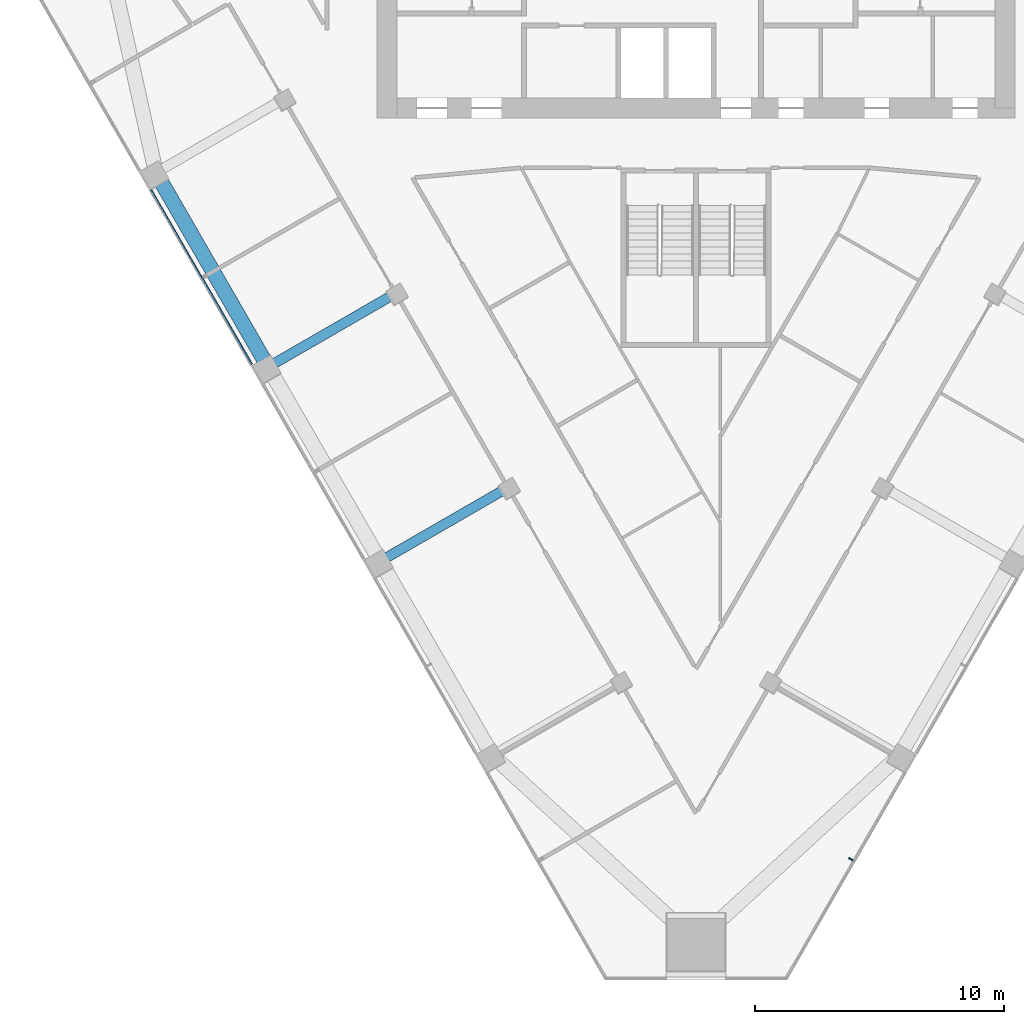
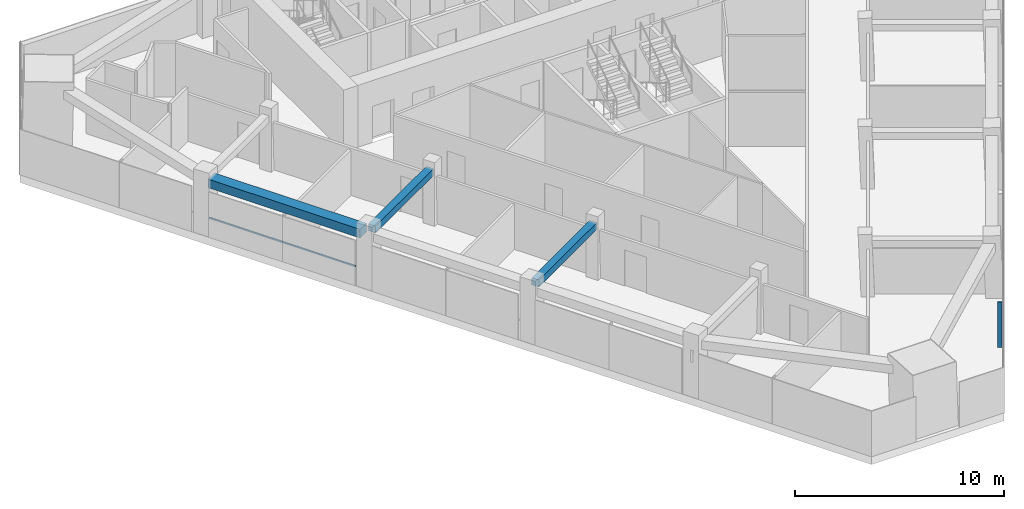
# One storey, part 3 of 13: 3 beams, 2 members, 2 elements without a shape of their own.
"""IFC4 building model written with IfcOpenShell, lengths in metres."""

from ifc_helpers import new_model, si_unit, direction, frame, origin, origin_2d, place, context, subcontext, project, spatial, rectangle, extrude, material, layer, layer_set, material_profile, profile_set, type_object, element, aggregate, save


model = new_model("IFC4")

# Units and contexts
model_context = context("Model", 3, precision=1e-05, world=origin(), true_north=direction((0.0, 1.0)))
body_context = subcontext(model_context, "Body", "Model", "MODEL_VIEW")
ifc_project = project(units=[si_unit("LENGTHUNIT", "METRE"), si_unit("AREAUNIT", "SQUARE_METRE"), si_unit("VOLUMEUNIT", "CUBIC_METRE"), si_unit("PLANEANGLEUNIT", "RADIAN"), si_unit("MASSUNIT", "GRAM", prefix="KILO")], contexts=[model_context])

# Site, building, storey
site_placement = place(None, origin())
site = spatial("IfcSite", under=ifc_project, at=site_placement, CompositionType="ELEMENT")
building_placement = place(site_placement, origin())
building = spatial("IfcBuilding", under=site, at=building_placement, Name="Altiplano Prism Tower", CompositionType="ELEMENT")
storey_placement = place(building_placement, frame((0.0, 0.0, 153.0)))
storey = spatial("IfcBuildingStorey", under=building, at=storey_placement, Name="L39", CompositionType="ELEMENT", Elevation=153.0)

# Curtain wall, member
ifc_material_1 = material(Name="Aluminium and glass", Category="aluminium")
ifc_layer = layer(ifc_material_1, 0.303955078125)
ifc_layer_set = layer_set([ifc_layer], Name="Aluminium and glass")
curtain_wall_type = type_object("IfcCurtainWallType", Name="CW2 lounge-band unitised glazing", PredefinedType="NOTDEFINED", material=ifc_layer_set)
curtain_wall_1_placement = place(storey_placement, origin())
curtain_wall_1 = element("IfcCurtainWall", 1, at=curtain_wall_1_placement, inside=storey, type_object=curtain_wall_type, Name="CW2 curtain wall south-east face L39", PredefinedType="NOTDEFINED")
ifc_material_2 = material(Name="Aluminium", Category="aluminium")
ifc_material_profile_1 = material_profile(ifc_material_2, rectangle(XDim=0.199951171875, YDim=0.06005859375, at=origin_2d()), Name="CW2 mullion 60 x 200")
ifc_profile_set_1 = profile_set([ifc_material_profile_1], Name="Aluminium")
member_type_1 = type_object("IfcMemberType", Name="CW2 mullion 60 x 200", PredefinedType="MULLION", material=ifc_profile_set_1)
member_1_placement = place(storey_placement, frame((91.210205078125, 62.862548828125, 0.0), z_axis=(0.0, 0.0, 1.0), x_axis=(-0.866025404064, 0.499999999516, 0.0)))
member_1 = element("IfcMember", 2, at=member_1_placement, type_object=member_type_1, Name="CW2 mullion", PredefinedType="MULLION", context=body_context, shape_type="SweptSolid", body=[
    extrude(rectangle(XDim=0.199951171875, YDim=0.06005859375, at=origin_2d()), origin(), (0.0, 0.0, 1.0), 2.64990234375),
])
aggregate(curtain_wall_1, [member_1])

curtain_wall_2_placement = place(storey_placement, origin())
curtain_wall_2 = element("IfcCurtainWall", 3, at=curtain_wall_2_placement, inside=storey, type_object=curtain_wall_type, Name="CW2 curtain wall south-west face L39", PredefinedType="NOTDEFINED")
ifc_material_profile_2 = material_profile(ifc_material_2, rectangle(XDim=0.06005859375, YDim=0.080078125, at=origin_2d()), Name="CW2 transom 80 x 60")
ifc_profile_set_2 = profile_set([ifc_material_profile_2], Name="Aluminium")
member_type_2 = type_object("IfcMemberType", Name="CW2 transom 80 x 60", PredefinedType="USERDEFINED", material=ifc_profile_set_2)
member_2_placement = place(storey_placement, frame((63.139892578125, 89.708740234375, 1.10009765625), z_axis=(0.500030598376, -0.866007737083, 0.0), x_axis=(0.866007737083, 0.500030598376, 0.0)))
member_2 = element("IfcMember", 4, at=member_2_placement, type_object=member_type_2, Name="CW2 transom", ObjectType="TRANSOM", PredefinedType="USERDEFINED", context=body_context, shape_type="SweptSolid", body=[
    extrude(rectangle(XDim=0.06005859375, YDim=0.080078125, at=origin_2d()), origin(), (0.0, 0.0, 1.0), 8.06982421875),
])
aggregate(curtain_wall_2, [member_2])

# Beams
ifc_material_3 = material(Name="Concrete C60/75", Category="concrete")
ifc_material_profile_3 = material_profile(ifc_material_3, rectangle(XDim=0.60009765625, YDim=0.5, at=origin_2d()), Name="Edge beam 600x500")
ifc_profile_set_3 = profile_set([ifc_material_profile_3], Name="Concrete C60/75")
beam_type_1 = type_object("IfcBeamType", Name="Edge beam 600x500", PredefinedType="SPANDREL", material=ifc_profile_set_3)
beam_placement = place(storey_placement, frame((63.4853515625, 90.139892578125, 2.89990234375), z_axis=(0.500010445942, -0.866019372733, 0.0), x_axis=(0.866019372733, 0.500010445942, 0.0)))
element("IfcBeam", 5, at=beam_placement, inside=storey, type_object=beam_type_1, Name="Edge beam P11-P12 L40", PredefinedType="SPANDREL", context=body_context, shape_type="SweptSolid", body=[
    extrude(rectangle(XDim=0.60009765625, YDim=0.5, at=origin_2d()), origin(), (0.0, 0.0, 1.0), 8.389892578125),
])
ifc_material_profile_4 = material_profile(ifc_material_3, rectangle(XDim=0.39990234375, YDim=0.39990234375, at=origin_2d()), Name="Tie beam 400x400")
ifc_profile_set_4 = profile_set([ifc_material_profile_4], Name="Concrete C60/75")
beam_type_2 = type_object("IfcBeamType", Name="Tie beam 400x400", PredefinedType="BEAM", material=ifc_profile_set_4)
for number, where, z_axis, x_axis, name in (
    (6, (72.894775390625, 85.5322265625, 2.949951171875), (-0.866027073272, -0.499997108352, 0.0), (0.499997108352, -0.866027073272, 0.0), "Tie beam I12 L40"),
    (7, (77.394775390625, 77.738037109375, 2.949951171875), (-0.866027073272, -0.499997108352, 0.0), (0.499997108352, -0.866027073272, 0.0), "Tie beam I13 L40"),
):
    element("IfcBeam", number, at=place(storey_placement, frame(where, z_axis=z_axis, x_axis=x_axis)), inside=storey, type_object=beam_type_2, Name=name, PredefinedType="BEAM", context=body_context, shape_type="SweptSolid", body=[
        extrude(rectangle(XDim=0.39990234375, YDim=0.39990234375, at=origin_2d()), origin(), (0.0, 0.0, 1.0), 5.5400390625),
    ])

save(model, "model.ifc")
